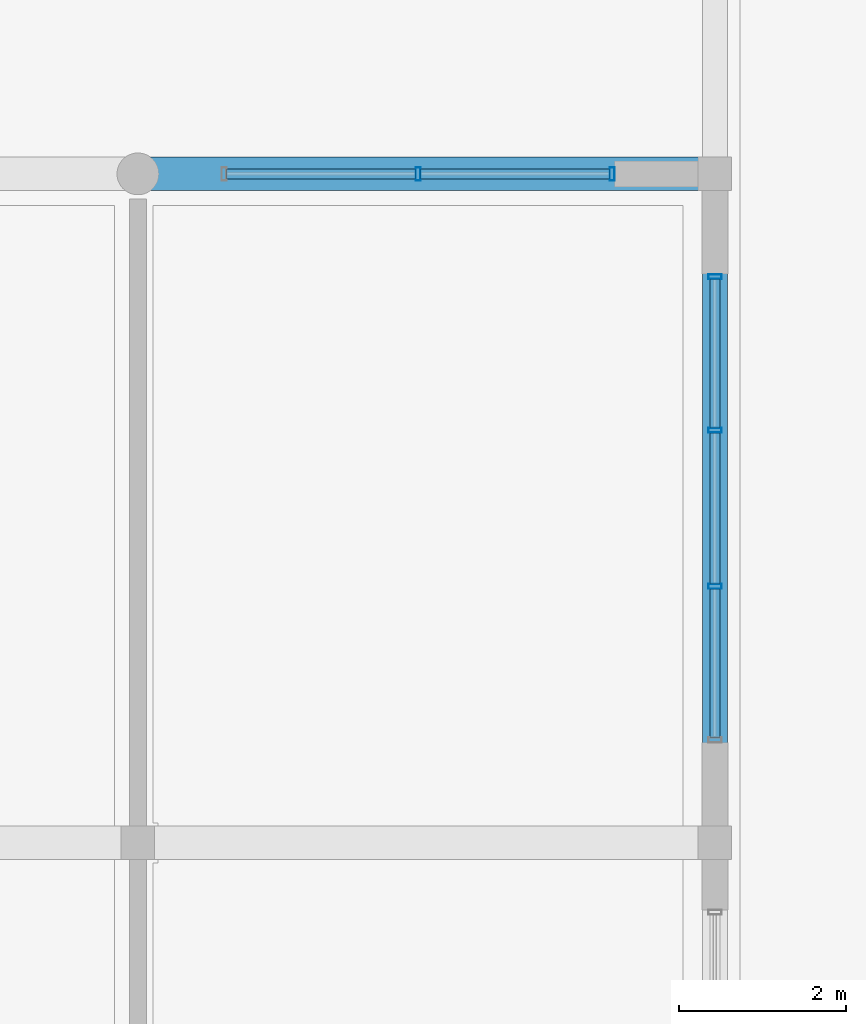
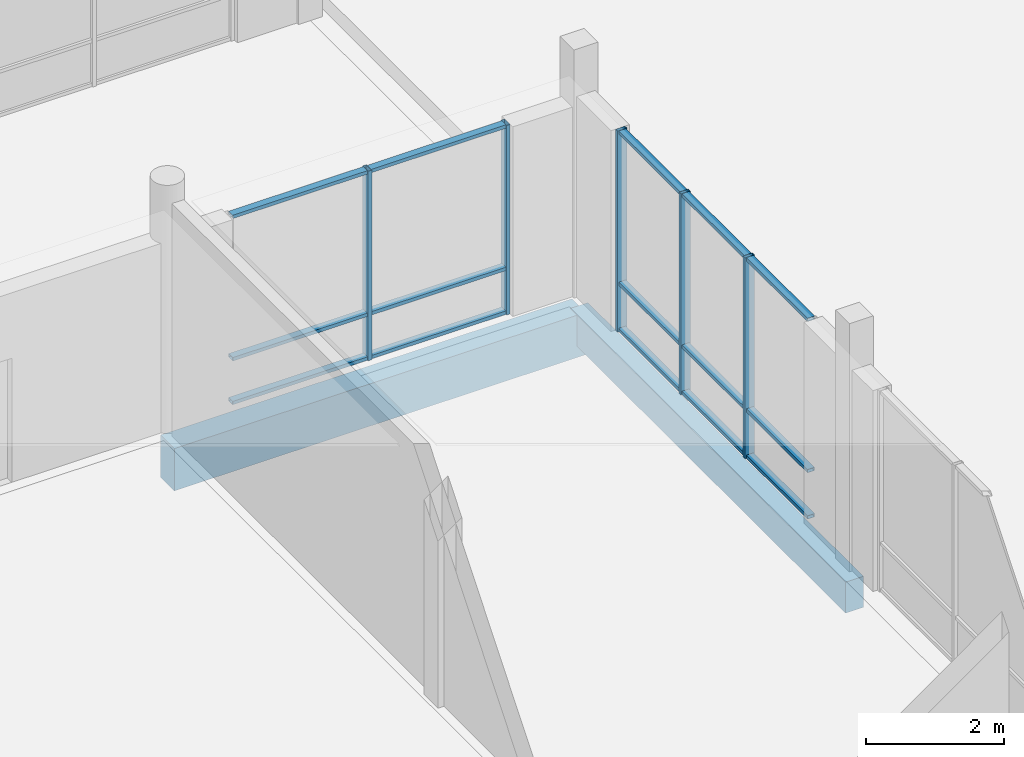
# One storey, part 56 of 233: 20 members, 2 beams, 2 elements without a shape of their own.
"""IFC4 building model written with IfcOpenShell, lengths in metres."""

from ifc_helpers import new_model, si_unit, direction, frame, origin, origin_2d, place, context, subcontext, project, spatial, rectangle, hollow_rectangle, extrude, material, material_profile, profile_set, type_object, element, aggregate, save


model = new_model("IFC4")

# Units and contexts
model_context = context("Model", 3, precision=1e-05, world=origin(), true_north=direction((0.0, 1.0)))
body_context = subcontext(model_context, "Body", "Model", "MODEL_VIEW")
ifc_project = project(units=[si_unit("LENGTHUNIT", "METRE"), si_unit("AREAUNIT", "SQUARE_METRE"), si_unit("VOLUMEUNIT", "CUBIC_METRE"), si_unit("PLANEANGLEUNIT", "RADIAN"), si_unit("MASSUNIT", "GRAM", prefix="KILO")], contexts=[model_context])

# Site, building, storey
site_placement = place(None, origin())
site = spatial("IfcSite", under=ifc_project, at=site_placement, CompositionType="ELEMENT")
building_placement = place(site_placement, origin())
building = spatial("IfcBuilding", under=site, at=building_placement, Name="Zavelmont Quarter", CompositionType="ELEMENT")
storey_placement = place(building_placement, origin())
storey = spatial("IfcBuildingStorey", under=building, at=storey_placement, Name="L00", CompositionType="ELEMENT", Elevation=0.0)

# Beams
ifc_material_1 = material(Name="Concrete C35/45", Category="concrete")
ifc_material_profile_1 = material_profile(ifc_material_1, rectangle(XDim=0.300048828125, YDim=0.550048828125, at=origin_2d()), Name="RC300X550")
ifc_profile_set_1 = profile_set([ifc_material_profile_1], Name="Concrete C35/45")
beam_type_1 = type_object("IfcBeamType", Name="BM02", PredefinedType="SPANDREL", material=ifc_profile_set_1)
beam_1_placement = place(storey_placement, frame((20.699951171875, 46.0, -0.594970703125), z_axis=(0.0, 1.0, 0.0), x_axis=(-1.0, 0.0, 0.0)))
element("IfcBeam", 1, at=beam_1_placement, inside=storey, type_object=beam_type_1, Name="L00 beam BM02 4/H to 4/J", PredefinedType="SPANDREL", context=body_context, shape_type="SweptSolid", body=[
    extrude(rectangle(XDim=0.300048828125, YDim=0.550048828125, at=origin_2d()), origin(), (0.0, 0.0, 1.0), 8.0),
])
ifc_material_2 = material(Name="Concrete C40/50", Category="concrete")
ifc_material_profile_2 = material_profile(ifc_material_2, rectangle(XDim=0.39990234375, YDim=0.75, at=origin_2d()), Name="RC400X750")
ifc_profile_set_2 = profile_set([ifc_material_profile_2], Name="Concrete C40/50")
beam_type_2 = type_object("IfcBeamType", Name="BM05", PredefinedType="BEAM", material=ifc_profile_set_2)
beam_2_placement = place(storey_placement, frame((13.800048828125, 54.0, -0.695068359375), z_axis=(1.0, 0.0, 0.0), x_axis=(0.0, 1.0, 0.0)))
element("IfcBeam", 2, at=beam_2_placement, inside=storey, type_object=beam_type_2, Name="L00 beam BM05 3/J to 4/J", PredefinedType="BEAM", context=body_context, shape_type="SweptSolid", body=[
    extrude(rectangle(XDim=0.39990234375, YDim=0.75, at=origin_2d()), origin(), (0.0, 0.0, 1.0), 6.89990234375),
])

# Curtain wall, members
ifc_material_3 = material(Name="Thermally broken aluminium and double low-E safety glazing", Category="aluminium")
curtain_wall_type_1 = type_object("IfcCurtainWallType", Name="CW-560X356", PredefinedType="NOTDEFINED", material=ifc_material_3)
curtain_wall_1_placement = place(storey_placement, origin())
curtain_wall_1 = element("IfcCurtainWall", 3, at=curtain_wall_1_placement, inside=storey, type_object=curtain_wall_type_1, Name="L00 unitised curtain wall CW-560X356", PredefinedType="NOTDEFINED")
ifc_material_4 = material(Name="Powder-coated aluminium EN AW-6063-T6", Category="aluminium")
ifc_material_profile_3 = material_profile(ifc_material_4, hollow_rectangle(XDim=0.06005859375, YDim=0.159912109375, WallThickness=0.00390625, at=origin_2d()), Name="CWM60X160")
ifc_profile_set_3 = profile_set([ifc_material_profile_3], Name="Powder-coated aluminium EN AW-6063-T6")
member_type_1 = type_object("IfcMemberType", Name="CWM01", PredefinedType="MULLION", material=ifc_profile_set_3)
member_1_placement = place(storey_placement, frame((20.699951171875, 49.066650390625, 0.0), z_axis=(0.0, 0.0, 1.0), x_axis=(0.0, 1.0, 0.0)))
member_1 = element("IfcMember", 4, at=member_1_placement, type_object=member_type_1, Name="CW-560X356 mullion 2", PredefinedType="MULLION", context=body_context, shape_type="SweptSolid", body=[
    extrude(hollow_rectangle(XDim=0.06005859375, YDim=0.159912109375, WallThickness=0.00390625, at=origin_2d()), origin(), (0.0, 0.0, 1.0), 3.56005859375),
])
member_2_placement = place(storey_placement, frame((20.699951171875, 50.933349609375, 0.0), z_axis=(0.0, 0.0, 1.0), x_axis=(0.0, 1.0, 0.0)))
member_2 = element("IfcMember", 5, at=member_2_placement, type_object=member_type_1, Name="CW-560X356 mullion 3", PredefinedType="MULLION", context=body_context, shape_type="SweptSolid", body=[
    extrude(hollow_rectangle(XDim=0.06005859375, YDim=0.159912109375, WallThickness=0.00390625, at=origin_2d()), origin(), (0.0, 0.0, 1.0), 3.56005859375),
])
member_3_placement = place(storey_placement, frame((20.699951171875, 52.77001953125, 0.0), z_axis=(0.0, 0.0, 1.0), x_axis=(0.0, 1.0, 0.0)))
member_3 = element("IfcMember", 6, at=member_3_placement, type_object=member_type_1, Name="CW-560X356 mullion 4", PredefinedType="MULLION", context=body_context, shape_type="SweptSolid", body=[
    extrude(hollow_rectangle(XDim=0.06005859375, YDim=0.159912109375, WallThickness=0.00390625, at=origin_2d()), origin(), (0.0, 0.0, 1.0), 3.56005859375),
])

curtain_wall_type_2 = type_object("IfcCurtainWallType", Name="CW-470X336", PredefinedType="NOTDEFINED", material=ifc_material_3)
curtain_wall_2_placement = place(storey_placement, origin())
curtain_wall_2 = element("IfcCurtainWall", 7, at=curtain_wall_2_placement, inside=storey, type_object=curtain_wall_type_2, Name="L00 unitised curtain wall CW-470X336", PredefinedType="NOTDEFINED")
member_4_placement = place(storey_placement, frame((17.14990234375, 54.0, 0.0), z_axis=(0.0, 0.0, 1.0), x_axis=(1.0, 0.0, 0.0)))
member_4 = element("IfcMember", 8, at=member_4_placement, type_object=member_type_1, Name="CW-470X336 mullion 2", PredefinedType="MULLION", context=body_context, shape_type="SweptSolid", body=[
    extrude(hollow_rectangle(XDim=0.06005859375, YDim=0.159912109375, WallThickness=0.00390625, at=origin_2d()), origin(), (0.0, 0.0, 1.0), 3.360107421875),
])
member_5_placement = place(storey_placement, frame((19.469970703125, 54.0, 0.0), z_axis=(0.0, 0.0, 1.0), x_axis=(1.0, 0.0, 0.0)))
member_5 = element("IfcMember", 9, at=member_5_placement, type_object=member_type_1, Name="CW-470X336 mullion 3", PredefinedType="MULLION", context=body_context, shape_type="SweptSolid", body=[
    extrude(hollow_rectangle(XDim=0.06005859375, YDim=0.159912109375, WallThickness=0.00390625, at=origin_2d()), origin(), (0.0, 0.0, 1.0), 3.360107421875),
])

# Member
ifc_material_profile_4 = material_profile(ifc_material_4, hollow_rectangle(XDim=0.1201171875, YDim=0.06005859375, WallThickness=0.00390625, at=origin_2d()), Name="CWT60X120")
ifc_profile_set_4 = profile_set([ifc_material_profile_4], Name="Powder-coated aluminium EN AW-6063-T6")
member_type_2 = type_object("IfcMemberType", Name="CWT01", PredefinedType="NOTDEFINED", material=ifc_profile_set_4)
member_6_placement = place(storey_placement, frame((20.699951171875, 47.260009765625, 0.030029296875), z_axis=(0.0, 1.0, 0.0), x_axis=(-1.0, 0.0, 0.0)))
member_6 = element("IfcMember", 10, at=member_6_placement, type_object=member_type_2, Name="CW-560X356 transom 1.1", ObjectType="TRANSOM", PredefinedType="USERDEFINED", context=body_context, shape_type="SweptSolid", body=[
    extrude(hollow_rectangle(XDim=0.1201171875, YDim=0.06005859375, WallThickness=0.00390625, at=origin_2d()), origin(), (0.0, 0.0, 1.0), 1.776611328125),
])

member_7_placement = place(storey_placement, frame((20.699951171875, 47.260009765625, 0.85009765625), z_axis=(0.0, 1.0, 0.0), x_axis=(-1.0, 0.0, 0.0)))
member_7 = element("IfcMember", 11, at=member_7_placement, type_object=member_type_2, Name="CW-560X356 transom 1.2", ObjectType="TRANSOM", PredefinedType="USERDEFINED", context=body_context, shape_type="SweptSolid", body=[
    extrude(hollow_rectangle(XDim=0.1201171875, YDim=0.06005859375, WallThickness=0.00390625, at=origin_2d()), origin(), (0.0, 0.0, 1.0), 1.776611328125),
])

member_8_placement = place(storey_placement, frame((20.699951171875, 47.260009765625, 3.530029296875), z_axis=(0.0, 1.0, 0.0), x_axis=(-1.0, 0.0, 0.0)))
member_8 = element("IfcMember", 12, at=member_8_placement, type_object=member_type_2, Name="CW-560X356 transom 1.3", ObjectType="TRANSOM", PredefinedType="USERDEFINED", context=body_context, shape_type="SweptSolid", body=[
    extrude(hollow_rectangle(XDim=0.1201171875, YDim=0.06005859375, WallThickness=0.00390625, at=origin_2d()), origin(), (0.0, 0.0, 1.0), 1.776611328125),
])

member_9_placement = place(storey_placement, frame((20.699951171875, 49.0966796875, 0.030029296875), z_axis=(0.0, 1.0, 0.0), x_axis=(-1.0, 0.0, 0.0)))
member_9 = element("IfcMember", 13, at=member_9_placement, type_object=member_type_2, Name="CW-560X356 transom 2.1", ObjectType="TRANSOM", PredefinedType="USERDEFINED", context=body_context, shape_type="SweptSolid", body=[
    extrude(hollow_rectangle(XDim=0.1201171875, YDim=0.06005859375, WallThickness=0.00390625, at=origin_2d()), origin(), (0.0, 0.0, 1.0), 1.806640625),
])

member_10_placement = place(storey_placement, frame((20.699951171875, 49.0966796875, 0.85009765625), z_axis=(0.0, 1.0, 0.0), x_axis=(-1.0, 0.0, 0.0)))
member_10 = element("IfcMember", 14, at=member_10_placement, type_object=member_type_2, Name="CW-560X356 transom 2.2", ObjectType="TRANSOM", PredefinedType="USERDEFINED", context=body_context, shape_type="SweptSolid", body=[
    extrude(hollow_rectangle(XDim=0.1201171875, YDim=0.06005859375, WallThickness=0.00390625, at=origin_2d()), origin(), (0.0, 0.0, 1.0), 1.806640625),
])

member_11_placement = place(storey_placement, frame((20.699951171875, 49.0966796875, 3.530029296875), z_axis=(0.0, 1.0, 0.0), x_axis=(-1.0, 0.0, 0.0)))
member_11 = element("IfcMember", 15, at=member_11_placement, type_object=member_type_2, Name="CW-560X356 transom 2.3", ObjectType="TRANSOM", PredefinedType="USERDEFINED", context=body_context, shape_type="SweptSolid", body=[
    extrude(hollow_rectangle(XDim=0.1201171875, YDim=0.06005859375, WallThickness=0.00390625, at=origin_2d()), origin(), (0.0, 0.0, 1.0), 1.806640625),
])

member_12_placement = place(storey_placement, frame((20.699951171875, 50.96337890625, 0.030029296875), z_axis=(0.0, 1.0, 0.0), x_axis=(-1.0, 0.0, 0.0)))
member_12 = element("IfcMember", 16, at=member_12_placement, type_object=member_type_2, Name="CW-560X356 transom 3.1", ObjectType="TRANSOM", PredefinedType="USERDEFINED", context=body_context, shape_type="SweptSolid", body=[
    extrude(hollow_rectangle(XDim=0.1201171875, YDim=0.06005859375, WallThickness=0.00390625, at=origin_2d()), origin(), (0.0, 0.0, 1.0), 1.776611328125),
])

member_13_placement = place(storey_placement, frame((20.699951171875, 50.96337890625, 0.85009765625), z_axis=(0.0, 1.0, 0.0), x_axis=(-1.0, 0.0, 0.0)))
member_13 = element("IfcMember", 17, at=member_13_placement, type_object=member_type_2, Name="CW-560X356 transom 3.2", ObjectType="TRANSOM", PredefinedType="USERDEFINED", context=body_context, shape_type="SweptSolid", body=[
    extrude(hollow_rectangle(XDim=0.1201171875, YDim=0.06005859375, WallThickness=0.00390625, at=origin_2d()), origin(), (0.0, 0.0, 1.0), 1.776611328125),
])

member_14_placement = place(storey_placement, frame((20.699951171875, 50.96337890625, 3.530029296875), z_axis=(0.0, 1.0, 0.0), x_axis=(-1.0, 0.0, 0.0)))
member_14 = element("IfcMember", 18, at=member_14_placement, type_object=member_type_2, Name="CW-560X356 transom 3.3", ObjectType="TRANSOM", PredefinedType="USERDEFINED", context=body_context, shape_type="SweptSolid", body=[
    extrude(hollow_rectangle(XDim=0.1201171875, YDim=0.06005859375, WallThickness=0.00390625, at=origin_2d()), origin(), (0.0, 0.0, 1.0), 1.776611328125),
])

aggregate(curtain_wall_1, [member_1, member_2, member_3, member_6, member_7, member_8, member_9, member_10, member_11, member_12, member_13, member_14])

member_15_placement = place(storey_placement, frame((14.860107421875, 54.0, 0.030029296875), z_axis=(1.0, 0.0, 0.0), x_axis=(0.0, 1.0, 0.0)))
member_15 = element("IfcMember", 19, at=member_15_placement, type_object=member_type_2, Name="CW-470X336 transom 1.1", ObjectType="TRANSOM", PredefinedType="USERDEFINED", context=body_context, shape_type="SweptSolid", body=[
    extrude(hollow_rectangle(XDim=0.1201171875, YDim=0.06005859375, WallThickness=0.00390625, at=origin_2d()), origin(), (0.0, 0.0, 1.0), 2.260009765625),
])

member_16_placement = place(storey_placement, frame((14.860107421875, 54.0, 0.805908203125), z_axis=(1.0, 0.0, 0.0), x_axis=(0.0, 1.0, 0.0)))
member_16 = element("IfcMember", 20, at=member_16_placement, type_object=member_type_2, Name="CW-470X336 transom 1.2", ObjectType="TRANSOM", PredefinedType="USERDEFINED", context=body_context, shape_type="SweptSolid", body=[
    extrude(hollow_rectangle(XDim=0.1201171875, YDim=0.06005859375, WallThickness=0.00390625, at=origin_2d()), origin(), (0.0, 0.0, 1.0), 2.260009765625),
])

member_17_placement = place(storey_placement, frame((14.860107421875, 54.0, 3.330078125), z_axis=(1.0, 0.0, 0.0), x_axis=(0.0, 1.0, 0.0)))
member_17 = element("IfcMember", 21, at=member_17_placement, type_object=member_type_2, Name="CW-470X336 transom 1.3", ObjectType="TRANSOM", PredefinedType="USERDEFINED", context=body_context, shape_type="SweptSolid", body=[
    extrude(hollow_rectangle(XDim=0.1201171875, YDim=0.06005859375, WallThickness=0.00390625, at=origin_2d()), origin(), (0.0, 0.0, 1.0), 2.260009765625),
])

member_18_placement = place(storey_placement, frame((17.179931640625, 54.0, 0.030029296875), z_axis=(1.0, 0.0, 0.0), x_axis=(0.0, 1.0, 0.0)))
member_18 = element("IfcMember", 22, at=member_18_placement, type_object=member_type_2, Name="CW-470X336 transom 2.1", ObjectType="TRANSOM", PredefinedType="USERDEFINED", context=body_context, shape_type="SweptSolid", body=[
    extrude(hollow_rectangle(XDim=0.1201171875, YDim=0.06005859375, WallThickness=0.00390625, at=origin_2d()), origin(), (0.0, 0.0, 1.0), 2.260009765625),
])

member_19_placement = place(storey_placement, frame((17.179931640625, 54.0, 0.805908203125), z_axis=(1.0, 0.0, 0.0), x_axis=(0.0, 1.0, 0.0)))
member_19 = element("IfcMember", 23, at=member_19_placement, type_object=member_type_2, Name="CW-470X336 transom 2.2", ObjectType="TRANSOM", PredefinedType="USERDEFINED", context=body_context, shape_type="SweptSolid", body=[
    extrude(hollow_rectangle(XDim=0.1201171875, YDim=0.06005859375, WallThickness=0.00390625, at=origin_2d()), origin(), (0.0, 0.0, 1.0), 2.260009765625),
])

member_20_placement = place(storey_placement, frame((17.179931640625, 54.0, 3.330078125), z_axis=(1.0, 0.0, 0.0), x_axis=(0.0, 1.0, 0.0)))
member_20 = element("IfcMember", 24, at=member_20_placement, type_object=member_type_2, Name="CW-470X336 transom 2.3", ObjectType="TRANSOM", PredefinedType="USERDEFINED", context=body_context, shape_type="SweptSolid", body=[
    extrude(hollow_rectangle(XDim=0.1201171875, YDim=0.06005859375, WallThickness=0.00390625, at=origin_2d()), origin(), (0.0, 0.0, 1.0), 2.260009765625),
])

aggregate(curtain_wall_2, [member_4, member_5, member_15, member_16, member_17, member_18, member_19, member_20])

save(model, "model.ifc")
